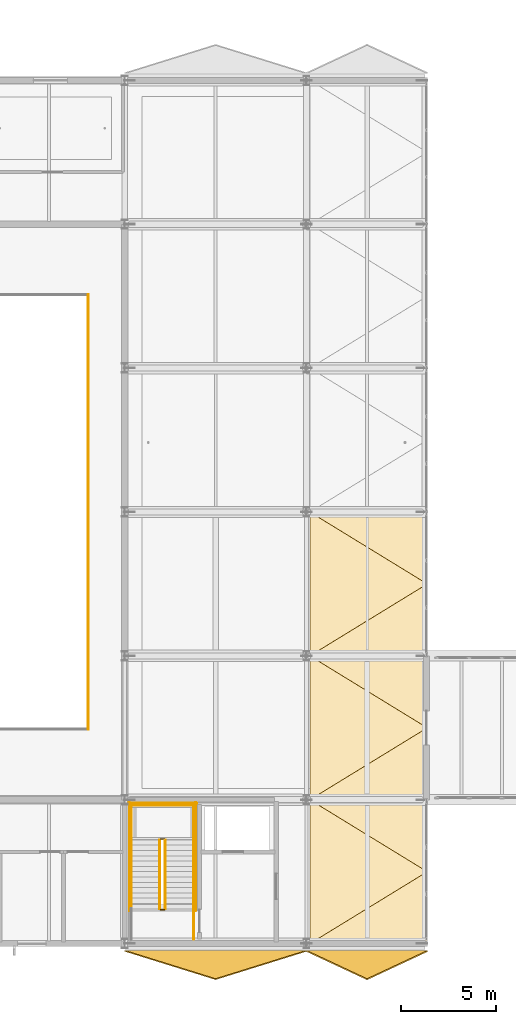
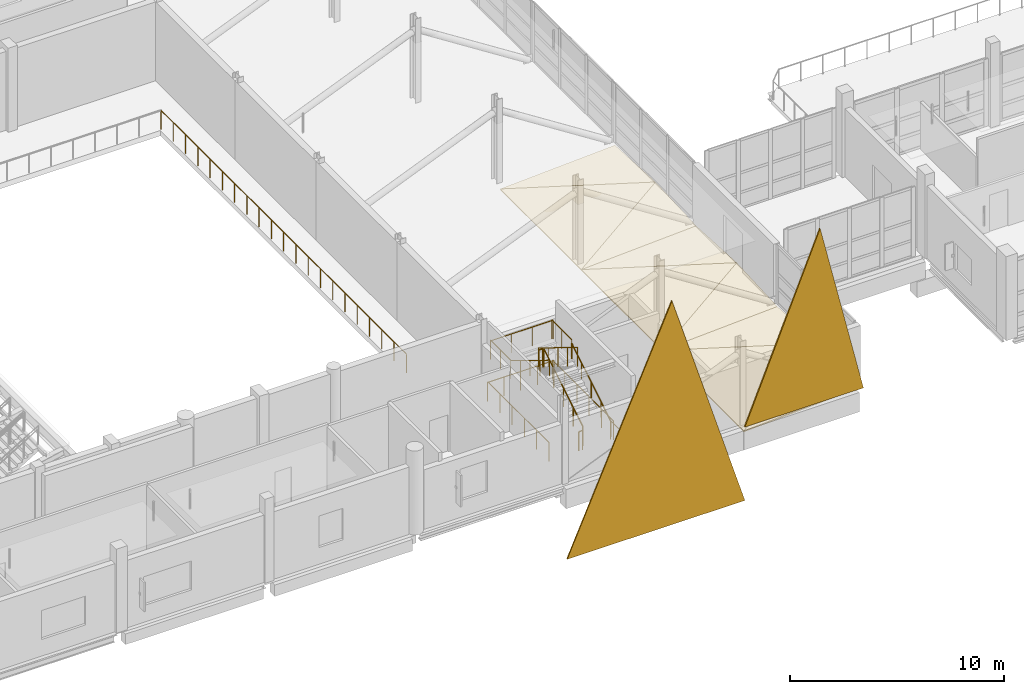
# One storey, part 129 of 147: 14 railings, 11 coverings.
"""IFC4 building model written with IfcOpenShell, lengths in metres."""

from ifc_helpers import new_model, si_unit, direction, frame, origin, origin_2d, place, context, subcontext, project, spatial, polyline, circle, outline, extrude, material, layer, layer_set, type_object, element, save


model = new_model("IFC4")

# Units and contexts
model_context = context("Model", 3, precision=1e-05, world=origin(), true_north=direction((0.0, 1.0)))
body_context = subcontext(model_context, "Body", "Model", "MODEL_VIEW")
ifc_project = project(units=[si_unit("LENGTHUNIT", "METRE"), si_unit("AREAUNIT", "SQUARE_METRE"), si_unit("VOLUMEUNIT", "CUBIC_METRE"), si_unit("PLANEANGLEUNIT", "RADIAN"), si_unit("MASSUNIT", "GRAM", prefix="KILO")], contexts=[model_context])

# Site, building, storey
site_placement = place(None, origin())
site = spatial("IfcSite", under=ifc_project, at=site_placement, CompositionType="ELEMENT")
building_placement = place(site_placement, origin())
building = spatial("IfcBuilding", under=site, at=building_placement, Name="Khelvaren Railside Concert Hall", CompositionType="ELEMENT")
storey_placement = place(building_placement, frame((0.0, 0.0, 5.39990234375)))
storey = spatial("IfcBuildingStorey", under=building, at=storey_placement, Name="L01", CompositionType="ELEMENT", Elevation=5.39990234375)

# Coverings
ifc_material_1 = material(Name="Precast architectural concrete C45/55", Category="concrete")
ifc_layer_1 = layer(ifc_material_1, 0.06005859375)
ifc_layer_set_1 = layer_set([ifc_layer_1], Name="Precast architectural concrete C45/55")
covering_type_1 = type_object("IfcCoveringType", Name="CLD31", PredefinedType="CLADDING", material=ifc_layer_set_1)
covering_1_placement = place(storey_placement, frame((40.0, -0.35498046875, -4.199951171875), z_axis=(0.0, 0.994332118184, 0.106318571983), x_axis=(1.0, 0.0, 0.0)))
element("IfcCovering", 1, at=covering_1_placement, inside=storey, type_object=covering_type_1, Name="Main Hall Cut-Crystal Lower Facet S-6", PredefinedType="CLADDING", context=body_context, shape_type="SweptSolid", body=[
    extrude(outline(polyline([(0.0, 0.0), (9.60009765625, 0.0), (4.800048828125, -14.06261539835735), (0.0, 0.0)])), origin(), (0.0, 0.0, -1.0), 0.06005859375),
])
covering_2_placement = place(storey_placement, frame((49.780029296875, 0.0, -0.5498046875), z_axis=(-0.085139625726, 0.0, 0.996369030094), x_axis=(0.0, 1.0, 0.0)))
element("IfcCovering", 2, at=covering_2_placement, inside=storey, type_object=covering_type_1, Name="Main Hall Sheltered Plaza Crystal Soffit 1A", PredefinedType="CLADDING", context=body_context, shape_type="SweptSolid", body=[
    extrude(outline(polyline([(0.0, 0.0), (7.60009765625, 0.0), (3.800048828125, -6.222545045671989), (0.0, 0.0)])), origin(), (0.0, 0.0, -1.0), 0.06005859375),
])
covering_3_placement = place(storey_placement, frame((49.780029296875, 7.60009765625, -0.5498046875), z_axis=(-0.053051143549, 0.052471368931, 0.997212280114), x_axis=(0.998587905984, 0.0, 0.053124326087)))
element("IfcCovering", 3, at=covering_3_placement, inside=storey, type_object=covering_type_1, Name="Main Hall Sheltered Plaza Crystal Soffit 1C", PredefinedType="CLADDING", context=body_context, shape_type="SweptSolid", body=[
    extrude(outline(polyline([(0.0, 0.0), (6.208718466067122, 0.0), (6.219340737323328, -3.805290886991654), (0.0, 0.0)])), origin(), (0.0, 0.0, -1.0), 0.06005859375),
])
covering_4_placement = place(storey_placement, frame((49.780029296875, 7.60009765625, -0.5498046875), z_axis=(-0.053051134164, -0.052474730977, 0.997212103703), x_axis=(0.998587905984, 0.0, 0.053124326087)))
element("IfcCovering", 4, at=covering_4_placement, inside=storey, type_object=covering_type_1, Name="Main Hall Sheltered Plaza Crystal Soffit 2B", PredefinedType="CLADDING", context=body_context, shape_type="SweptSolid", body=[
    extrude(outline(polyline([(0.0, 0.0), (6.208718466067122, 3.469446951953614e-18), (6.219340737323328, 3.8050470827092964), (0.0, 0.0)])), origin(), (0.0, 0.0, -1.0), 0.06005859375),
])
covering_5_placement = place(storey_placement, frame((49.780029296875, 15.199951171875, -0.5498046875), z_axis=(-0.085139625726, 0.0, 0.996369030094), x_axis=(0.0, 1.0, 0.0)))
element("IfcCovering", 5, at=covering_5_placement, inside=storey, type_object=covering_type_1, Name="Main Hall Sheltered Plaza Crystal Soffit 3A", PredefinedType="CLADDING", context=body_context, shape_type="SweptSolid", body=[
    extrude(outline(polyline([(0.0, 0.0), (7.60009765625, 0.0), (3.800048828125, -6.222545045671989), (0.0, 0.0)])), origin(), (0.0, 0.0, -1.0), 0.06005859375),
])
covering_6_placement = place(storey_placement, frame((49.780029296875, 22.800048828125, -0.5498046875), z_axis=(-0.053051143549, 0.052471368931, 0.997212280114), x_axis=(0.998587905984, 0.0, 0.053124326087)))
element("IfcCovering", 6, at=covering_6_placement, inside=storey, type_object=covering_type_1, Name="Main Hall Sheltered Plaza Crystal Soffit 3C", PredefinedType="CLADDING", context=body_context, shape_type="SweptSolid", body=[
    extrude(outline(polyline([(0.0, 0.0), (6.208718466067122, 0.0), (6.219340737323328, -3.805290886991654), (0.0, 0.0)])), origin(), (0.0, 0.0, -1.0), 0.06005859375),
])
ifc_material_2 = material(Name="Board-marked precast concrete C45/55", Category="concrete")
ifc_layer_2 = layer(ifc_material_2, 0.070068359375)
ifc_layer_set_2 = layer_set([ifc_layer_2], Name="Board-marked precast concrete C45/55")
covering_type_2 = type_object("IfcCoveringType", Name="CLD68", PredefinedType="CLADDING", material=ifc_layer_set_2)
covering_7_placement = place(storey_placement, frame((49.60009765625, -0.35498046875, 0.0), z_axis=(0.0, 0.991094851683, 0.133157782227), x_axis=(1.0, 0.0, 0.0)))
element("IfcCovering", 7, at=covering_7_placement, inside=storey, type_object=covering_type_2, Name="Main Hall Cut-Crystal Lower Facet S-7", PredefinedType="CLADDING", context=body_context, shape_type="SweptSolid", body=[
    extrude(outline(polyline([(0.0, 0.0), (6.39990234375, 0.0), (3.199951171875, -11.228162278544255), (0.0, 0.0)])), origin(), (0.0, 0.0, -1.0), 0.070068359375),
])
covering_8_placement = place(storey_placement, frame((49.780029296875, 0.0, -0.5498046875), z_axis=(-0.053051143549, -0.052471368931, 0.997212280114), x_axis=(0.998587905984, 0.0, 0.053124326087)))
element("IfcCovering", 8, at=covering_8_placement, inside=storey, type_object=covering_type_2, Name="Main Hall Sheltered Plaza Crystal Soffit 1B", PredefinedType="CLADDING", context=body_context, shape_type="SweptSolid", body=[
    extrude(outline(polyline([(0.0, 0.0), (6.208718466067122, 0.0), (6.219340737323328, 3.805290886991654), (0.0, 0.0)])), origin(), (0.0, 0.0, -1.0), 0.070068359375),
])
covering_9_placement = place(storey_placement, frame((49.780029296875, 7.60009765625, -0.5498046875), z_axis=(-0.085139625726, 0.0, 0.996369030094), x_axis=(0.0, 1.0, 0.0)))
element("IfcCovering", 9, at=covering_9_placement, inside=storey, type_object=covering_type_2, Name="Main Hall Sheltered Plaza Crystal Soffit 2A", PredefinedType="CLADDING", context=body_context, shape_type="SweptSolid", body=[
    extrude(outline(polyline([(0.0, 0.0), (7.599853515625, 0.0), (3.7998046875, -6.22254504567199), (0.0, 0.0)])), origin(), (0.0, 0.0, -1.0), 0.070068359375),
])
covering_10_placement = place(storey_placement, frame((49.780029296875, 15.199951171875, -0.5498046875), z_axis=(-0.053051143549, 0.052471368931, 0.997212280114), x_axis=(0.998587905984, 0.0, 0.053124326087)))
element("IfcCovering", 10, at=covering_10_placement, inside=storey, type_object=covering_type_2, Name="Main Hall Sheltered Plaza Crystal Soffit 2C", PredefinedType="CLADDING", context=body_context, shape_type="SweptSolid", body=[
    extrude(outline(polyline([(0.0, 0.0), (6.208718466067122, 0.0), (6.219340737323328, -3.805290886991654), (0.0, 0.0)])), origin(), (0.0, 0.0, -1.0), 0.070068359375),
])
covering_11_placement = place(storey_placement, frame((49.780029296875, 15.199951171875, -0.5498046875), z_axis=(-0.053051143549, -0.052471368931, 0.997212280114), x_axis=(0.998587905984, 0.0, 0.053124326087)))
element("IfcCovering", 11, at=covering_11_placement, inside=storey, type_object=covering_type_2, Name="Main Hall Sheltered Plaza Crystal Soffit 3B", PredefinedType="CLADDING", context=body_context, shape_type="SweptSolid", body=[
    extrude(outline(polyline([(0.0, 0.0), (6.208718466067122, 0.0), (6.219340737323328, 3.805290886991654), (0.0, 0.0)])), origin(), (0.0, 0.0, -1.0), 0.070068359375),
])

# Railings
ifc_material_3 = material(Name="Painted architectural steel", Category="steel")
railing_type_1 = type_object("IfcRailingType", Name="GRD86", PredefinedType="GUARDRAIL", material=ifc_material_3)
railing_1_placement = place(storey_placement, frame((42.14990234375, 1.840087890625, 0.171630859375)))
element("IfcRailing", 12, at=railing_1_placement, inside=storey, type_object=railing_type_1, Name="L01 ST-02 stair guard 1", PredefinedType="GUARDRAIL", context=body_context, shape_type="SweptSolid", body=[
    extrude(circle(Radius=0.02392578125, at=origin_2d()), frame((0.0, 0.0, 1.076171875), z_axis=(0.0, 0.852850264322, 0.5221555579), x_axis=(-1.0, 0.0, 0.0)), (0.0, 0.0, 1.0), 4.267822265625),
    extrude(circle(Radius=0.02099609375, at=origin_2d()), origin(), (0.0, 0.0, 1.0), 1.052001953125),
    extrude(circle(Radius=0.02099609375, at=origin_2d()), frame((0.0, 0.909912109375, 0.55712890625)), (0.0, 0.0, 1.0), 1.052001953125),
    extrude(circle(Radius=0.02099609375, at=origin_2d()), frame((0.0, 1.81982421875, 1.1142578125)), (0.0, 0.0, 1.0), 1.052001953125),
    extrude(circle(Radius=0.02099609375, at=origin_2d()), frame((0.0, 2.72998046875, 1.67138671875)), (0.0, 0.0, 1.0), 1.052001953125),
    extrude(circle(Radius=0.02099609375, at=origin_2d()), frame((0.0, 3.639892578125, 2.228515625)), (0.0, 0.0, 1.0), 1.052001953125),
])
railing_2_placement = place(storey_placement, frame((42.10009765625, 5.530029296875, 2.400146484375)))
element("IfcRailing", 13, at=railing_2_placement, inside=storey, type_object=railing_type_1, Name="L01 ST-02 stair guard 2", PredefinedType="GUARDRAIL", context=body_context, shape_type="SweptSolid", body=[
    extrude(circle(Radius=0.02392578125, at=origin_2d()), frame((0.0, 0.0, 1.076171875), z_axis=(-1.0, 0.0, 0.0), x_axis=(0.0, -1.0, 0.0)), (0.0, 0.0, 1.0), 0.2001953125),
    extrude(circle(Radius=0.02099609375, at=origin_2d()), origin(), (0.0, 0.0, 1.0), 1.052001953125),
    extrude(circle(Radius=0.02099609375, at=origin_2d()), frame((-0.2001953125, 0.0, 0.0)), (0.0, 0.0, 1.0), 1.052001953125),
])
for number, where, name in (
    (14, (43.64990234375, 5.47998046875, 2.400146484375), "L01 ST-02 stair guard 3"),
    (15, (40.35009765625, 5.47998046875, 2.400146484375), "L01 ST-02 stair guard 4"),
):
    element("IfcRailing", number, at=place(storey_placement, frame(where)), inside=storey, type_object=railing_type_1, Name=name, PredefinedType="GUARDRAIL", context=body_context, shape_type="SweptSolid", body=[
        extrude(circle(Radius=0.02392578125, at=origin_2d()), frame((0.0, 0.0, 1.076171875), z_axis=(0.0, 1.0, 0.0), x_axis=(-1.0, 0.0, 0.0)), (0.0, 0.0, 1.0), 1.880126953125),
        extrude(circle(Radius=0.02099609375, at=origin_2d()), origin(), (0.0, 0.0, 1.0), 1.052001953125),
        extrude(circle(Radius=0.02099609375, at=origin_2d()), frame((0.0, 0.93994140625, 0.0)), (0.0, 0.0, 1.0), 1.052001953125),
        extrude(circle(Radius=0.02099609375, at=origin_2d()), frame((0.0, 1.880126953125, 0.0)), (0.0, 0.0, 1.0), 1.052001953125),
    ])
railing_3_placement = place(storey_placement, frame((43.699951171875, 7.31005859375, 2.400146484375)))
element("IfcRailing", 16, at=railing_3_placement, inside=storey, type_object=railing_type_1, Name="L01 ST-02 stair guard 5", PredefinedType="GUARDRAIL", context=body_context, shape_type="SweptSolid", body=[
    extrude(circle(Radius=0.02392578125, at=origin_2d()), frame((0.0, 0.0, 1.076171875), z_axis=(-1.0, 0.0, 0.0), x_axis=(0.0, -1.0, 0.0)), (0.0, 0.0, 1.0), 3.39990234375),
    extrude(circle(Radius=0.02099609375, at=origin_2d()), origin(), (0.0, 0.0, 1.0), 1.052001953125),
    extrude(circle(Radius=0.02099609375, at=origin_2d()), frame((-1.13330078125, 0.0, 0.0)), (0.0, 0.0, 1.0), 1.052001953125),
    extrude(circle(Radius=0.02099609375, at=origin_2d()), frame((-2.2666015625, 0.0, 0.0)), (0.0, 0.0, 1.0), 1.052001953125),
    extrude(circle(Radius=0.02099609375, at=origin_2d()), frame((-3.39990234375, 0.0, 0.0)), (0.0, 0.0, 1.0), 1.052001953125),
])
railing_4_placement = place(storey_placement, frame((41.85009765625, 5.47998046875, 2.571533203125)))
element("IfcRailing", 17, at=railing_4_placement, inside=storey, type_object=railing_type_1, Name="L01 ST-02 stair guard 6", PredefinedType="GUARDRAIL", context=body_context, shape_type="SweptSolid", body=[
    extrude(circle(Radius=0.02392578125, at=origin_2d()), frame((0.0, 0.0, 1.076171875), z_axis=(0.0, -0.852850264322, 0.5221555579), x_axis=(1.0, 0.0, 0.0)), (0.0, 0.0, 1.0), 4.267822265625),
    extrude(circle(Radius=0.02099609375, at=origin_2d()), origin(), (0.0, 0.0, 1.0), 1.052001953125),
    extrude(circle(Radius=0.02099609375, at=origin_2d()), frame((0.0, -0.909912109375, 0.55712890625)), (0.0, 0.0, 1.0), 1.052001953125),
    extrude(circle(Radius=0.02099609375, at=origin_2d()), frame((0.0, -1.81982421875, 1.1142578125)), (0.0, 0.0, 1.0), 1.052001953125),
    extrude(circle(Radius=0.02099609375, at=origin_2d()), frame((0.0, -2.72998046875, 1.67138671875)), (0.0, 0.0, 1.0), 1.052001953125),
    extrude(circle(Radius=0.02099609375, at=origin_2d()), frame((0.0, -3.639892578125, 2.228515625)), (0.0, 0.0, 1.0), 1.052001953125),
])
railing_5_placement = place(storey_placement, frame((42.10009765625, 1.7900390625, 0.0)))
element("IfcRailing", 18, at=railing_5_placement, inside=storey, type_object=railing_type_1, Name="L01 ST-02 stair guard 7", PredefinedType="GUARDRAIL", context=body_context, shape_type="SweptSolid", body=[
    extrude(circle(Radius=0.02392578125, at=origin_2d()), frame((0.0, 0.0, 1.076171875), z_axis=(-1.0, 0.0, 0.0), x_axis=(0.0, -1.0, 0.0)), (0.0, 0.0, 1.0), 0.2001953125),
    extrude(circle(Radius=0.02099609375, at=origin_2d()), origin(), (0.0, 0.0, 1.0), 1.052001953125),
    extrude(circle(Radius=0.02099609375, at=origin_2d()), frame((-0.2001953125, 0.0, 0.0)), (0.0, 0.0, 1.0), 1.052001953125),
])
railing_6_placement = place(storey_placement, frame((43.64990234375, 0.239990234375, 0.0)))
element("IfcRailing", 19, at=railing_6_placement, inside=storey, type_object=railing_type_1, Name="L01 ST-02 stair guard 8", PredefinedType="GUARDRAIL", context=body_context, shape_type="SweptSolid", body=[
    extrude(circle(Radius=0.02392578125, at=origin_2d()), frame((0.0, 0.0, 1.076171875), z_axis=(0.0, 1.0, 0.0), x_axis=(-1.0, 0.0, 0.0)), (0.0, 0.0, 1.0), 1.60009765625),
    extrude(circle(Radius=0.02099609375, at=origin_2d()), origin(), (0.0, 0.0, 1.0), 1.052001953125),
    extrude(circle(Radius=0.02099609375, at=origin_2d()), frame((0.0, 0.800048828125, 0.0)), (0.0, 0.0, 1.0), 1.052001953125),
    extrude(circle(Radius=0.02099609375, at=origin_2d()), frame((0.0, 1.60009765625, 0.0)), (0.0, 0.0, 1.0), 1.052001953125),
])
for number, where, name in (
    (20, (43.75, 1.739990234375, 0.0), "L01 ST-02 stair guard 10"),
    (21, (40.25, 1.739990234375, 0.0), "L01 ST-02 stair guard 11"),
):
    element("IfcRailing", number, at=place(storey_placement, frame(where)), inside=storey, type_object=railing_type_1, Name=name, PredefinedType="GUARDRAIL", context=body_context, shape_type="SweptSolid", body=[
        extrude(circle(Radius=0.02392578125, at=origin_2d()), frame((0.0, 0.0, 1.076171875), z_axis=(0.0, 1.0, 0.0), x_axis=(-1.0, 0.0, 0.0)), (0.0, 0.0, 1.0), 5.719970703125),
        extrude(circle(Radius=0.02099609375, at=origin_2d()), origin(), (0.0, 0.0, 1.0), 1.052001953125),
        extrude(circle(Radius=0.02099609375, at=origin_2d()), frame((0.0, 1.14404296875, 0.0)), (0.0, 0.0, 1.0), 1.052001953125),
        extrude(circle(Radius=0.02099609375, at=origin_2d()), frame((0.0, 2.2880859375, 0.0)), (0.0, 0.0, 1.0), 1.052001953125),
        extrude(circle(Radius=0.02099609375, at=origin_2d()), frame((0.0, 3.431884765625, 0.0)), (0.0, 0.0, 1.0), 1.052001953125),
        extrude(circle(Radius=0.02099609375, at=origin_2d()), frame((0.0, 4.575927734375, 0.0)), (0.0, 0.0, 1.0), 1.052001953125),
        extrude(circle(Radius=0.02099609375, at=origin_2d()), frame((0.0, 5.719970703125, 0.0)), (0.0, 0.0, 1.0), 1.052001953125),
    ])
railing_7_placement = place(storey_placement, frame((43.800048828125, 7.409912109375, 0.0)))
element("IfcRailing", 22, at=railing_7_placement, inside=storey, type_object=railing_type_1, Name="L01 ST-02 stair guard 12", PredefinedType="GUARDRAIL", context=body_context, shape_type="SweptSolid", body=[
    extrude(circle(Radius=0.02392578125, at=origin_2d()), frame((0.0, 0.0, 1.076171875), z_axis=(-1.0, 0.0, 0.0), x_axis=(0.0, -1.0, 0.0)), (0.0, 0.0, 1.0), 3.60009765625),
    extrude(circle(Radius=0.02099609375, at=origin_2d()), origin(), (0.0, 0.0, 1.0), 1.052001953125),
    extrude(circle(Radius=0.02099609375, at=origin_2d()), frame((-0.89990234375, 0.0, 0.0)), (0.0, 0.0, 1.0), 1.052001953125),
    extrude(circle(Radius=0.02099609375, at=origin_2d()), frame((-1.800048828125, 0.0, 0.0)), (0.0, 0.0, 1.0), 1.052001953125),
    extrude(circle(Radius=0.02099609375, at=origin_2d()), frame((-2.7001953125, 0.0, 0.0)), (0.0, 0.0, 1.0), 1.052001953125),
    extrude(circle(Radius=0.02099609375, at=origin_2d()), frame((-3.60009765625, 0.0, 0.0)), (0.0, 0.0, 1.0), 1.052001953125),
])
ifc_material_4 = material(Name="Acoustic bronze and laminated glass guardrail", Category="glass")
railing_type_2 = type_object("IfcRailingType", Name="GRD91", PredefinedType="GUARDRAIL", material=ifc_material_4)
railing_8_placement = place(storey_placement, frame((38.080078125, 11.320068359375, 0.0)))
element("IfcRailing", 23, at=railing_8_placement, inside=storey, type_object=railing_type_2, Name="V1 L01 Acoustic Bowl Edge Guardrail E", PredefinedType="GUARDRAIL", context=body_context, shape_type="SweptSolid", body=[
    extrude(circle(Radius=0.02392578125, at=origin_2d()), frame((0.0, 0.0, 1.076171875), z_axis=(0.0, 1.0, 0.0), x_axis=(-1.0, 0.0, 0.0)), (0.0, 0.0, 1.0), 22.9599609375),
    extrude(circle(Radius=0.02099609375, at=origin_2d()), origin(), (0.0, 0.0, 1.0), 1.052001953125),
    extrude(circle(Radius=0.02099609375, at=origin_2d()), frame((0.0, 1.14794921875, 0.0)), (0.0, 0.0, 1.0), 1.052001953125),
    extrude(circle(Radius=0.02099609375, at=origin_2d()), frame((0.0, 2.2958984375, 0.0)), (0.0, 0.0, 1.0), 1.052001953125),
    extrude(circle(Radius=0.02099609375, at=origin_2d()), frame((0.0, 3.444091796875, 0.0)), (0.0, 0.0, 1.0), 1.052001953125),
    extrude(circle(Radius=0.02099609375, at=origin_2d()), frame((0.0, 4.592041015625, 0.0)), (0.0, 0.0, 1.0), 1.052001953125),
    extrude(circle(Radius=0.02099609375, at=origin_2d()), frame((0.0, 5.739990234375, 0.0)), (0.0, 0.0, 1.0), 1.052001953125),
    extrude(circle(Radius=0.02099609375, at=origin_2d()), frame((0.0, 6.887939453125, 0.0)), (0.0, 0.0, 1.0), 1.052001953125),
    extrude(circle(Radius=0.02099609375, at=origin_2d()), frame((0.0, 8.035888671875, 0.0)), (0.0, 0.0, 1.0), 1.052001953125),
    extrude(circle(Radius=0.02099609375, at=origin_2d()), frame((0.0, 9.18408203125, 0.0)), (0.0, 0.0, 1.0), 1.052001953125),
    extrude(circle(Radius=0.02099609375, at=origin_2d()), frame((0.0, 10.33203125, 0.0)), (0.0, 0.0, 1.0), 1.052001953125),
    extrude(circle(Radius=0.02099609375, at=origin_2d()), frame((0.0, 11.47998046875, 0.0)), (0.0, 0.0, 1.0), 1.052001953125),
    extrude(circle(Radius=0.02099609375, at=origin_2d()), frame((0.0, 12.6279296875, 0.0)), (0.0, 0.0, 1.0), 1.052001953125),
    extrude(circle(Radius=0.02099609375, at=origin_2d()), frame((0.0, 13.77587890625, 0.0)), (0.0, 0.0, 1.0), 1.052001953125),
    extrude(circle(Radius=0.02099609375, at=origin_2d()), frame((0.0, 14.924072265625, 0.0)), (0.0, 0.0, 1.0), 1.052001953125),
    extrude(circle(Radius=0.02099609375, at=origin_2d()), frame((0.0, 16.072021484375, 0.0)), (0.0, 0.0, 1.0), 1.052001953125),
    extrude(circle(Radius=0.02099609375, at=origin_2d()), frame((0.0, 17.219970703125, 0.0)), (0.0, 0.0, 1.0), 1.052001953125),
    extrude(circle(Radius=0.02099609375, at=origin_2d()), frame((0.0, 18.367919921875, 0.0)), (0.0, 0.0, 1.0), 1.052001953125),
    extrude(circle(Radius=0.02099609375, at=origin_2d()), frame((0.0, 19.515869140625, 0.0)), (0.0, 0.0, 1.0), 1.052001953125),
    extrude(circle(Radius=0.02099609375, at=origin_2d()), frame((0.0, 20.6640625, 0.0)), (0.0, 0.0, 1.0), 1.052001953125),
    extrude(circle(Radius=0.02099609375, at=origin_2d()), frame((0.0, 21.81201171875, 0.0)), (0.0, 0.0, 1.0), 1.052001953125),
    extrude(circle(Radius=0.02099609375, at=origin_2d()), frame((0.0, 22.9599609375, 0.0)), (0.0, 0.0, 1.0), 1.052001953125),
])
ifc_material_5 = material(Name="Brushed stainless steel Grade 316", Category="steel")
railing_type_3 = type_object("IfcRailingType", Name="HRL59", PredefinedType="HANDRAIL", material=ifc_material_5)
railing_9_placement = place(storey_placement, frame((43.64990234375, 1.840087890625, 0.171630859375)))
element("IfcRailing", 24, at=railing_9_placement, inside=storey, type_object=railing_type_3, Name="L01 ST-02 stair handrail 1", PredefinedType="HANDRAIL", context=body_context, shape_type="SweptSolid", body=[
    extrude(circle(Radius=0.02392578125, at=origin_2d()), frame((0.0, 0.0, 0.8759765625), z_axis=(0.0, 0.852850264322, 0.5221555579), x_axis=(-1.0, 0.0, 0.0)), (0.0, 0.0, 1.0), 4.267822265625),
    extrude(circle(Radius=0.02099609375, at=origin_2d()), origin(), (0.0, 0.0, 1.0), 0.851806640625),
    extrude(circle(Radius=0.02099609375, at=origin_2d()), frame((0.0, 0.909912109375, 0.55712890625)), (0.0, 0.0, 1.0), 0.851806640625),
    extrude(circle(Radius=0.02099609375, at=origin_2d()), frame((0.0, 1.81982421875, 1.1142578125)), (0.0, 0.0, 1.0), 0.851806640625),
    extrude(circle(Radius=0.02099609375, at=origin_2d()), frame((0.0, 2.72998046875, 1.67138671875)), (0.0, 0.0, 1.0), 0.851806640625),
    extrude(circle(Radius=0.02099609375, at=origin_2d()), frame((0.0, 3.639892578125, 2.228515625)), (0.0, 0.0, 1.0), 0.851806640625),
])
railing_10_placement = place(storey_placement, frame((40.35009765625, 5.47998046875, 2.571533203125)))
element("IfcRailing", 25, at=railing_10_placement, inside=storey, type_object=railing_type_3, Name="L01 ST-02 stair handrail 2", PredefinedType="HANDRAIL", context=body_context, shape_type="SweptSolid", body=[
    extrude(circle(Radius=0.02392578125, at=origin_2d()), frame((0.0, 0.0, 0.8759765625), z_axis=(0.0, -0.852850264322, 0.5221555579), x_axis=(1.0, 0.0, 0.0)), (0.0, 0.0, 1.0), 4.267822265625),
    extrude(circle(Radius=0.02099609375, at=origin_2d()), origin(), (0.0, 0.0, 1.0), 0.851806640625),
    extrude(circle(Radius=0.02099609375, at=origin_2d()), frame((0.0, -0.909912109375, 0.55712890625)), (0.0, 0.0, 1.0), 0.851806640625),
    extrude(circle(Radius=0.02099609375, at=origin_2d()), frame((0.0, -1.81982421875, 1.1142578125)), (0.0, 0.0, 1.0), 0.851806640625),
    extrude(circle(Radius=0.02099609375, at=origin_2d()), frame((0.0, -2.72998046875, 1.67138671875)), (0.0, 0.0, 1.0), 0.851806640625),
    extrude(circle(Radius=0.02099609375, at=origin_2d()), frame((0.0, -3.639892578125, 2.228515625)), (0.0, 0.0, 1.0), 0.851806640625),
])

save(model, "model.ifc")
